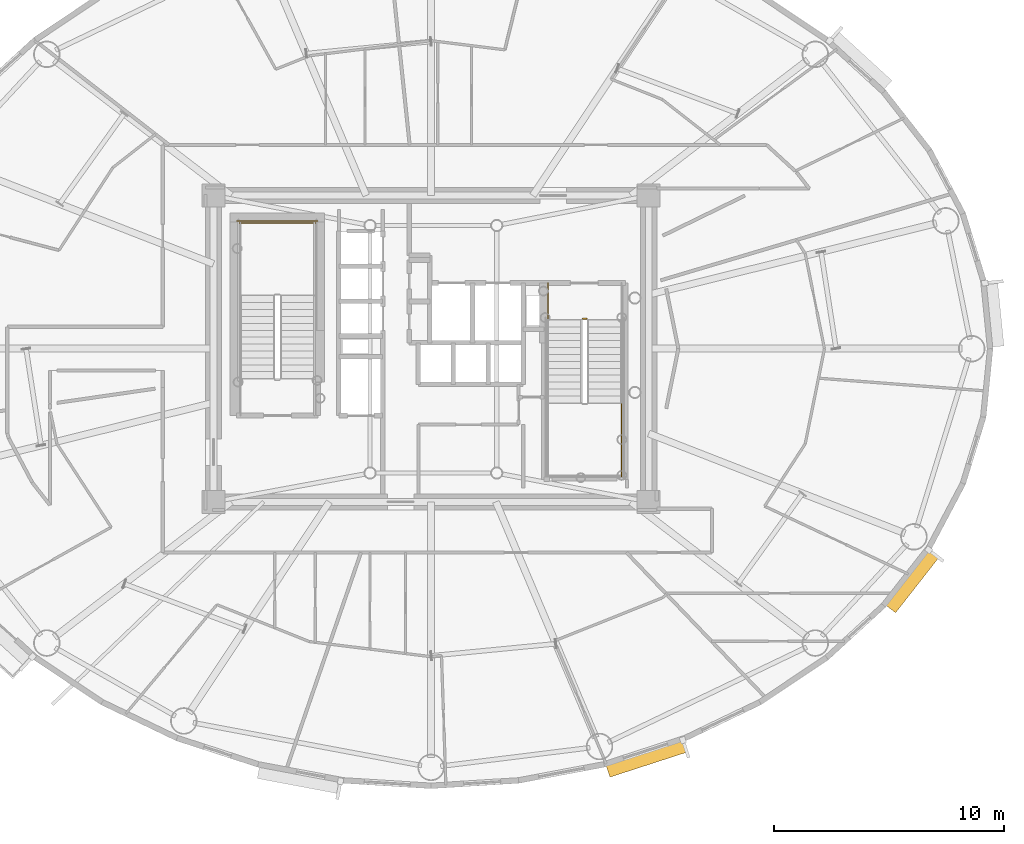
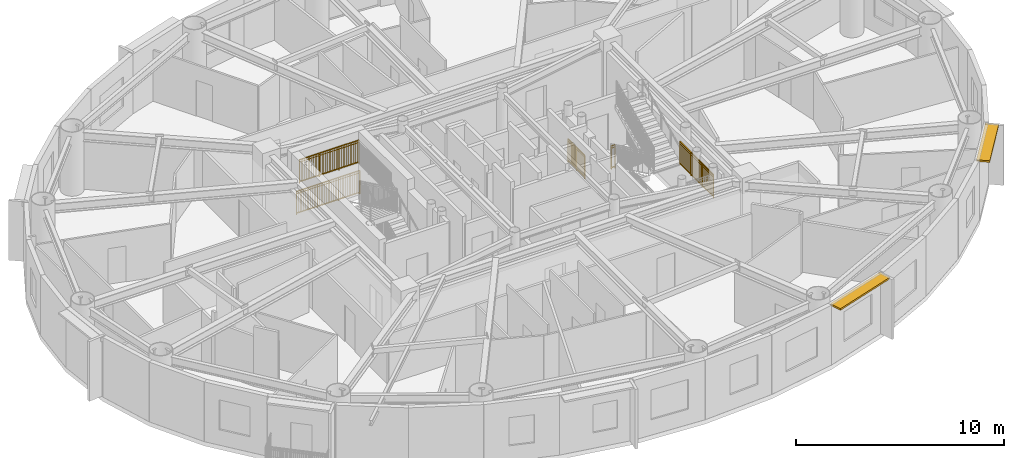
# One storey, part 18 of 20: 5 railings, 2 shading devices.
"""IFC4 building model written with IfcOpenShell, lengths in metres."""

from ifc_helpers import new_model, si_unit, direction, frame, origin, origin_2d, place, context, subcontext, project, spatial, rectangle, extrude, source, transform, mapped, material, layer, layer_set, type_object, element, save


model = new_model("IFC4")

# Units and contexts
model_context = context("Model", 3, precision=1e-05, world=origin(), true_north=direction((0.0, 1.0)))
body_context = subcontext(model_context, "Body", "Model", "MODEL_VIEW")
ifc_project = project(units=[si_unit("LENGTHUNIT", "METRE"), si_unit("AREAUNIT", "SQUARE_METRE"), si_unit("VOLUMEUNIT", "CUBIC_METRE"), si_unit("PLANEANGLEUNIT", "RADIAN"), si_unit("MASSUNIT", "GRAM", prefix="KILO")], contexts=[model_context])

# Site, building, storey
site_placement = place(None, origin())
site = spatial("IfcSite", under=ifc_project, at=site_placement, CompositionType="ELEMENT")
building_placement = place(site_placement, origin())
building = spatial("IfcBuilding", under=site, at=building_placement, Name="Linh Dai School and Residence Tower", CompositionType="ELEMENT")
storey_placement = place(building_placement, frame((0.0, 0.0, 232.800048828125)))
storey = spatial("IfcBuildingStorey", under=building, at=storey_placement, Name="L57", CompositionType="ELEMENT", Elevation=232.800048828125)

# Shading devices
ifc_material_1 = material(Name="Terracotta Ceramic Sunshade", Category="masonry")
ifc_layer = layer(ifc_material_1, 0.10009765625)
ifc_layer_set = layer_set([ifc_layer], Name="Terracotta Ceramic Sunshade")
shading_device_type = type_object("IfcShadingDeviceType", Name="SHD-TC-650", PredefinedType="USERDEFINED", material=ifc_layer_set)
shared_shape_1 = source(origin(), body_context, "Body", "SweptSolid", [
    extrude(rectangle(XDim=3.554443359375, YDim=0.64990234375, at=origin_2d()), origin(), (0.0, 0.0, 1.0), 0.10009765625),
])
shading_device_1_placement = place(storey_placement, frame((45.358154296875, 9.251220703125, 3.3798828125), z_axis=(0.0, 0.0, 1.0), x_axis=(-0.951223997135, -0.308501065272, 0.0)))
element("IfcShadingDevice", 1, at=shading_device_1_placement, inside=storey, type_object=shading_device_type, Name="L57 Terracotta Horizontal Sunshade Band 33", ObjectType="SUNSHADE", PredefinedType="USERDEFINED", context=body_context, shape_type="MappedRepresentation", body=[
    mapped(shared_shape_1, transform((0.0, 0.0, 0.0), x_axis=(1.0, 0.0, 0.0), y_axis=(0.0, 1.0, 0.0), z_axis=(0.0, 0.0, 1.0), scale=1.0)),
])
shared_shape_2 = source(origin(), body_context, "Body", "SweptSolid", [
    extrude(rectangle(XDim=3.095703125, YDim=0.64990234375, at=origin_2d()), origin(), (0.0, 0.0, 1.0), 0.10009765625),
])
shading_device_2_placement = place(storey_placement, frame((56.866455078125, 16.949462890625, 3.3798828125), z_axis=(0.0, 0.0, 1.0), x_axis=(-0.616333598027, -0.787485171888, 0.0)))
element("IfcShadingDevice", 2, at=shading_device_2_placement, inside=storey, type_object=shading_device_type, Name="L57 Terracotta Horizontal Sunshade Band 37", ObjectType="SUNSHADE", PredefinedType="USERDEFINED", context=body_context, shape_type="MappedRepresentation", body=[
    mapped(shared_shape_2, transform((0.0, 0.0, 0.0), x_axis=(1.0, 0.0, 0.0), y_axis=(0.0, 1.0, 0.0), z_axis=(0.0, 0.0, 1.0), scale=1.0)),
])

# Railings
ifc_material_2 = material(Name="Structural Steel S355JR", Category="steel")
railing_type = type_object("IfcRailingType", Name="RL-ST-GUARD-1400", PredefinedType="GUARDRAIL", material=ifc_material_2)
shared_shape_3 = source(origin(), body_context, "Body", "SweptSolid", [
    extrude(rectangle(XDim=0.048095703125, YDim=0.048095703125, at=origin_2d()), frame((0.0, 0.0, 1.3759765625), z_axis=(-1.0, 0.0, 0.0), x_axis=(0.0, -1.0, 0.0)), (0.0, 0.0, 1.0), 3.300048828125),
    extrude(rectangle(XDim=0.048095703125, YDim=0.048095703125, at=origin_2d()), frame((0.0, 0.0, 0.10009765625), z_axis=(-1.0, 0.0, 0.0), x_axis=(0.0, -1.0, 0.0)), (0.0, 0.0, 1.0), 3.300048828125),
    extrude(rectangle(XDim=0.030029296875, YDim=0.030029296875, at=origin_2d()), frame((0.0, 0.0, 1.239990234375), z_axis=(-1.0, 0.0, 0.0), x_axis=(0.0, -1.0, 0.0)), (0.0, 0.0, 1.0), 3.300048828125),
    extrude(rectangle(XDim=0.02001953125, YDim=0.02001953125, at=origin_2d()), frame((-0.09716796875, 0.0, 0.10009765625)), (0.0, 0.0, 1.0), 1.251708984375),
    extrude(rectangle(XDim=0.02001953125, YDim=0.02001953125, at=origin_2d()), frame((-0.194091796875, 0.0, 0.10009765625)), (0.0, 0.0, 1.0), 1.251708984375),
    extrude(rectangle(XDim=0.02001953125, YDim=0.02001953125, at=origin_2d()), frame((-0.291259765625, 0.0, 0.10009765625)), (0.0, 0.0, 1.0), 1.251708984375),
    extrude(rectangle(XDim=0.02001953125, YDim=0.02001953125, at=origin_2d()), frame((-0.38818359375, 0.0, 0.10009765625)), (0.0, 0.0, 1.0), 1.251708984375),
    extrude(rectangle(XDim=0.02001953125, YDim=0.02001953125, at=origin_2d()), frame((-0.4853515625, 0.0, 0.10009765625)), (0.0, 0.0, 1.0), 1.251708984375),
    extrude(rectangle(XDim=0.02001953125, YDim=0.02001953125, at=origin_2d()), frame((-0.582275390625, 0.0, 0.10009765625)), (0.0, 0.0, 1.0), 1.251708984375),
    extrude(rectangle(XDim=0.02001953125, YDim=0.02001953125, at=origin_2d()), frame((-0.679443359375, 0.0, 0.10009765625)), (0.0, 0.0, 1.0), 1.251708984375),
    extrude(rectangle(XDim=0.02001953125, YDim=0.02001953125, at=origin_2d()), frame((-0.7763671875, 0.0, 0.10009765625)), (0.0, 0.0, 1.0), 1.251708984375),
    extrude(rectangle(XDim=0.02001953125, YDim=0.02001953125, at=origin_2d()), frame((-0.87353515625, 0.0, 0.10009765625)), (0.0, 0.0, 1.0), 1.251708984375),
    extrude(rectangle(XDim=0.02001953125, YDim=0.02001953125, at=origin_2d()), frame((-0.970703125, 0.0, 0.10009765625)), (0.0, 0.0, 1.0), 1.251708984375),
    extrude(rectangle(XDim=0.02001953125, YDim=0.02001953125, at=origin_2d()), frame((-1.164794921875, 0.0, 0.10009765625)), (0.0, 0.0, 1.0), 1.251708984375),
    extrude(rectangle(XDim=0.02001953125, YDim=0.02001953125, at=origin_2d()), frame((-1.26171875, 0.0, 0.10009765625)), (0.0, 0.0, 1.0), 1.251708984375),
    extrude(rectangle(XDim=0.02001953125, YDim=0.02001953125, at=origin_2d()), frame((-1.35888671875, 0.0, 0.10009765625)), (0.0, 0.0, 1.0), 1.251708984375),
    extrude(rectangle(XDim=0.02001953125, YDim=0.02001953125, at=origin_2d()), frame((-1.455810546875, 0.0, 0.10009765625)), (0.0, 0.0, 1.0), 1.251708984375),
    extrude(rectangle(XDim=0.02001953125, YDim=0.02001953125, at=origin_2d()), frame((-1.552978515625, 0.0, 0.10009765625)), (0.0, 0.0, 1.0), 1.251708984375),
    extrude(rectangle(XDim=0.02001953125, YDim=0.02001953125, at=origin_2d()), frame((-1.64990234375, 0.0, 0.10009765625)), (0.0, 0.0, 1.0), 1.251708984375),
    extrude(rectangle(XDim=0.02001953125, YDim=0.02001953125, at=origin_2d()), frame((-1.7470703125, 0.0, 0.10009765625)), (0.0, 0.0, 1.0), 1.251708984375),
    extrude(rectangle(XDim=0.02001953125, YDim=0.02001953125, at=origin_2d()), frame((-1.84423828125, 0.0, 0.10009765625)), (0.0, 0.0, 1.0), 1.251708984375),
    extrude(rectangle(XDim=0.02001953125, YDim=0.02001953125, at=origin_2d()), frame((-1.941162109375, 0.0, 0.10009765625)), (0.0, 0.0, 1.0), 1.251708984375),
    extrude(rectangle(XDim=0.02001953125, YDim=0.02001953125, at=origin_2d()), frame((-2.038330078125, 0.0, 0.10009765625)), (0.0, 0.0, 1.0), 1.251708984375),
    extrude(rectangle(XDim=0.02001953125, YDim=0.02001953125, at=origin_2d()), frame((-2.13525390625, 0.0, 0.10009765625)), (0.0, 0.0, 1.0), 1.251708984375),
    extrude(rectangle(XDim=0.02001953125, YDim=0.02001953125, at=origin_2d()), frame((-2.329345703125, 0.0, 0.10009765625)), (0.0, 0.0, 1.0), 1.251708984375),
    extrude(rectangle(XDim=0.02001953125, YDim=0.02001953125, at=origin_2d()), frame((-2.426513671875, 0.0, 0.10009765625)), (0.0, 0.0, 1.0), 1.251708984375),
    extrude(rectangle(XDim=0.02001953125, YDim=0.02001953125, at=origin_2d()), frame((-2.523681640625, 0.0, 0.10009765625)), (0.0, 0.0, 1.0), 1.251708984375),
    extrude(rectangle(XDim=0.02001953125, YDim=0.02001953125, at=origin_2d()), frame((-2.62060546875, 0.0, 0.10009765625)), (0.0, 0.0, 1.0), 1.251708984375),
    extrude(rectangle(XDim=0.02001953125, YDim=0.02001953125, at=origin_2d()), frame((-2.7177734375, 0.0, 0.10009765625)), (0.0, 0.0, 1.0), 1.251708984375),
    extrude(rectangle(XDim=0.02001953125, YDim=0.02001953125, at=origin_2d()), frame((-2.814697265625, 0.0, 0.10009765625)), (0.0, 0.0, 1.0), 1.251708984375),
    extrude(rectangle(XDim=0.02001953125, YDim=0.02001953125, at=origin_2d()), frame((-2.911865234375, 0.0, 0.10009765625)), (0.0, 0.0, 1.0), 1.251708984375),
    extrude(rectangle(XDim=0.02001953125, YDim=0.02001953125, at=origin_2d()), frame((-3.0087890625, 0.0, 0.10009765625)), (0.0, 0.0, 1.0), 1.251708984375),
    extrude(rectangle(XDim=0.02001953125, YDim=0.02001953125, at=origin_2d()), frame((-3.10595703125, 0.0, 0.10009765625)), (0.0, 0.0, 1.0), 1.251708984375),
    extrude(rectangle(XDim=0.02001953125, YDim=0.02001953125, at=origin_2d()), frame((-3.202880859375, 0.0, 0.10009765625)), (0.0, 0.0, 1.0), 1.251708984375),
    extrude(rectangle(XDim=0.0419921875, YDim=0.0419921875, at=origin_2d()), origin(), (0.0, 0.0, 1.0), 1.3759765625),
    extrude(rectangle(XDim=0.0419921875, YDim=0.0419921875, at=origin_2d()), frame((-1.10009765625, 0.0, 0.0)), (0.0, 0.0, 1.0), 1.3759765625),
    extrude(rectangle(XDim=0.0419921875, YDim=0.0419921875, at=origin_2d()), frame((-2.199951171875, 0.0, 0.0)), (0.0, 0.0, 1.0), 1.3759765625),
    extrude(rectangle(XDim=0.0419921875, YDim=0.0419921875, at=origin_2d()), frame((-3.300048828125, 0.0, 0.0)), (0.0, 0.0, 1.0), 1.3759765625),
])
railing_1_placement = place(storey_placement, frame((30.97998046875, 32.449951171875, 1.875)))
element("IfcRailing", 3, at=railing_1_placement, inside=storey, type_object=railing_type, Name="L57 ST1 stair guard 5", PredefinedType="GUARDRAIL", context=body_context, shape_type="MappedRepresentation", body=[
    mapped(shared_shape_3, transform((0.0, 0.0, 0.0), x_axis=(1.0, 0.0, 0.0), y_axis=(0.0, 1.0, 0.0), z_axis=(0.0, 0.0, 1.0), scale=1.0)),
])
shared_shape_4 = source(origin(), body_context, "Body", "SweptSolid", [
    extrude(rectangle(XDim=0.048095703125, YDim=0.048095703125, at=origin_2d()), frame((0.0, 0.0, 1.3759765625), z_axis=(-1.0, 0.0, 0.0), x_axis=(0.0, -1.0, 0.0)), (0.0, 0.0, 1.0), 3.5),
    extrude(rectangle(XDim=0.048095703125, YDim=0.048095703125, at=origin_2d()), frame((0.0, 0.0, 0.10009765625), z_axis=(-1.0, 0.0, 0.0), x_axis=(0.0, -1.0, 0.0)), (0.0, 0.0, 1.0), 3.5),
    extrude(rectangle(XDim=0.030029296875, YDim=0.030029296875, at=origin_2d()), frame((0.0, 0.0, 1.239990234375), z_axis=(-1.0, 0.0, 0.0), x_axis=(0.0, -1.0, 0.0)), (0.0, 0.0, 1.0), 3.5),
    extrude(rectangle(XDim=0.02001953125, YDim=0.02001953125, at=origin_2d()), frame((-0.09716796875, 0.0, 0.10009765625)), (0.0, 0.0, 1.0), 1.251708984375),
    extrude(rectangle(XDim=0.02001953125, YDim=0.02001953125, at=origin_2d()), frame((-0.1943359375, 0.0, 0.10009765625)), (0.0, 0.0, 1.0), 1.251708984375),
    extrude(rectangle(XDim=0.02001953125, YDim=0.02001953125, at=origin_2d()), frame((-0.291748046875, 0.0, 0.10009765625)), (0.0, 0.0, 1.0), 1.251708984375),
    extrude(rectangle(XDim=0.02001953125, YDim=0.02001953125, at=origin_2d()), frame((-0.388916015625, 0.0, 0.10009765625)), (0.0, 0.0, 1.0), 1.251708984375),
    extrude(rectangle(XDim=0.02001953125, YDim=0.02001953125, at=origin_2d()), frame((-0.486083984375, 0.0, 0.10009765625)), (0.0, 0.0, 1.0), 1.251708984375),
    extrude(rectangle(XDim=0.02001953125, YDim=0.02001953125, at=origin_2d()), frame((-0.583251953125, 0.0, 0.10009765625)), (0.0, 0.0, 1.0), 1.251708984375),
    extrude(rectangle(XDim=0.02001953125, YDim=0.02001953125, at=origin_2d()), frame((-0.6806640625, 0.0, 0.10009765625)), (0.0, 0.0, 1.0), 1.251708984375),
    extrude(rectangle(XDim=0.02001953125, YDim=0.02001953125, at=origin_2d()), frame((-0.77783203125, 0.0, 0.10009765625)), (0.0, 0.0, 1.0), 1.251708984375),
    extrude(rectangle(XDim=0.02001953125, YDim=0.02001953125, at=origin_2d()), frame((-0.875, 0.0, 0.10009765625)), (0.0, 0.0, 1.0), 1.251708984375),
    extrude(rectangle(XDim=0.02001953125, YDim=0.02001953125, at=origin_2d()), frame((-0.97216796875, 0.0, 0.10009765625)), (0.0, 0.0, 1.0), 1.251708984375),
    extrude(rectangle(XDim=0.02001953125, YDim=0.02001953125, at=origin_2d()), frame((-1.0693359375, 0.0, 0.10009765625)), (0.0, 0.0, 1.0), 1.251708984375),
    extrude(rectangle(XDim=0.02001953125, YDim=0.02001953125, at=origin_2d()), frame((-1.263916015625, 0.0, 0.10009765625)), (0.0, 0.0, 1.0), 1.251708984375),
    extrude(rectangle(XDim=0.02001953125, YDim=0.02001953125, at=origin_2d()), frame((-1.361083984375, 0.0, 0.10009765625)), (0.0, 0.0, 1.0), 1.251708984375),
    extrude(rectangle(XDim=0.02001953125, YDim=0.02001953125, at=origin_2d()), frame((-1.458251953125, 0.0, 0.10009765625)), (0.0, 0.0, 1.0), 1.251708984375),
    extrude(rectangle(XDim=0.02001953125, YDim=0.02001953125, at=origin_2d()), frame((-1.5556640625, 0.0, 0.10009765625)), (0.0, 0.0, 1.0), 1.251708984375),
    extrude(rectangle(XDim=0.02001953125, YDim=0.02001953125, at=origin_2d()), frame((-1.65283203125, 0.0, 0.10009765625)), (0.0, 0.0, 1.0), 1.251708984375),
    extrude(rectangle(XDim=0.02001953125, YDim=0.02001953125, at=origin_2d()), frame((-1.75, 0.0, 0.10009765625)), (0.0, 0.0, 1.0), 1.251708984375),
    extrude(rectangle(XDim=0.02001953125, YDim=0.02001953125, at=origin_2d()), frame((-1.84716796875, 0.0, 0.10009765625)), (0.0, 0.0, 1.0), 1.251708984375),
    extrude(rectangle(XDim=0.02001953125, YDim=0.02001953125, at=origin_2d()), frame((-1.9443359375, 0.0, 0.10009765625)), (0.0, 0.0, 1.0), 1.251708984375),
    extrude(rectangle(XDim=0.02001953125, YDim=0.02001953125, at=origin_2d()), frame((-2.041748046875, 0.0, 0.10009765625)), (0.0, 0.0, 1.0), 1.251708984375),
    extrude(rectangle(XDim=0.02001953125, YDim=0.02001953125, at=origin_2d()), frame((-2.138916015625, 0.0, 0.10009765625)), (0.0, 0.0, 1.0), 1.251708984375),
    extrude(rectangle(XDim=0.02001953125, YDim=0.02001953125, at=origin_2d()), frame((-2.236083984375, 0.0, 0.10009765625)), (0.0, 0.0, 1.0), 1.251708984375),
    extrude(rectangle(XDim=0.02001953125, YDim=0.02001953125, at=origin_2d()), frame((-2.4306640625, 0.0, 0.10009765625)), (0.0, 0.0, 1.0), 1.251708984375),
    extrude(rectangle(XDim=0.02001953125, YDim=0.02001953125, at=origin_2d()), frame((-2.52783203125, 0.0, 0.10009765625)), (0.0, 0.0, 1.0), 1.251708984375),
    extrude(rectangle(XDim=0.02001953125, YDim=0.02001953125, at=origin_2d()), frame((-2.625, 0.0, 0.10009765625)), (0.0, 0.0, 1.0), 1.251708984375),
    extrude(rectangle(XDim=0.02001953125, YDim=0.02001953125, at=origin_2d()), frame((-2.72216796875, 0.0, 0.10009765625)), (0.0, 0.0, 1.0), 1.251708984375),
    extrude(rectangle(XDim=0.02001953125, YDim=0.02001953125, at=origin_2d()), frame((-2.8193359375, 0.0, 0.10009765625)), (0.0, 0.0, 1.0), 1.251708984375),
    extrude(rectangle(XDim=0.02001953125, YDim=0.02001953125, at=origin_2d()), frame((-2.916748046875, 0.0, 0.10009765625)), (0.0, 0.0, 1.0), 1.251708984375),
    extrude(rectangle(XDim=0.02001953125, YDim=0.02001953125, at=origin_2d()), frame((-3.013916015625, 0.0, 0.10009765625)), (0.0, 0.0, 1.0), 1.251708984375),
    extrude(rectangle(XDim=0.02001953125, YDim=0.02001953125, at=origin_2d()), frame((-3.111083984375, 0.0, 0.10009765625)), (0.0, 0.0, 1.0), 1.251708984375),
    extrude(rectangle(XDim=0.02001953125, YDim=0.02001953125, at=origin_2d()), frame((-3.208251953125, 0.0, 0.10009765625)), (0.0, 0.0, 1.0), 1.251708984375),
    extrude(rectangle(XDim=0.02001953125, YDim=0.02001953125, at=origin_2d()), frame((-3.3056640625, 0.0, 0.10009765625)), (0.0, 0.0, 1.0), 1.251708984375),
    extrude(rectangle(XDim=0.02001953125, YDim=0.02001953125, at=origin_2d()), frame((-3.40283203125, 0.0, 0.10009765625)), (0.0, 0.0, 1.0), 1.251708984375),
    extrude(rectangle(XDim=0.0419921875, YDim=0.0419921875, at=origin_2d()), origin(), (0.0, 0.0, 1.0), 1.3759765625),
    extrude(rectangle(XDim=0.0419921875, YDim=0.0419921875, at=origin_2d()), frame((-1.166748046875, 0.0, 0.0)), (0.0, 0.0, 1.0), 1.3759765625),
    extrude(rectangle(XDim=0.0419921875, YDim=0.0419921875, at=origin_2d()), frame((-2.333251953125, 0.0, 0.0)), (0.0, 0.0, 1.0), 1.3759765625),
    extrude(rectangle(XDim=0.0419921875, YDim=0.0419921875, at=origin_2d()), frame((-3.5, 0.0, 0.0)), (0.0, 0.0, 1.0), 1.3759765625),
])
railing_2_placement = place(storey_placement, frame((31.080078125, 32.550048828125, 0.0)))
element("IfcRailing", 4, at=railing_2_placement, inside=storey, type_object=railing_type, Name="L57 ST1 stair guard 12", PredefinedType="GUARDRAIL", context=body_context, shape_type="MappedRepresentation", body=[
    mapped(shared_shape_4, transform((0.0, 0.0, 0.0), x_axis=(1.0, 0.0, 0.0), y_axis=(0.0, 1.0, 0.0), z_axis=(0.0, 0.0, 1.0), scale=1.0)),
])
shared_shape_5 = source(origin(), body_context, "Body", "SweptSolid", [
    extrude(rectangle(XDim=0.048095703125, YDim=0.048095703125, at=origin_2d()), frame((0.0, 0.0, 1.3759765625), z_axis=(1.0, 0.0, 0.0), x_axis=(0.0, 1.0, 0.0)), (0.0, 0.0, 1.0), 0.199951171875),
    extrude(rectangle(XDim=0.048095703125, YDim=0.048095703125, at=origin_2d()), frame((0.0, 0.0, 0.10009765625), z_axis=(1.0, 0.0, 0.0), x_axis=(0.0, 1.0, 0.0)), (0.0, 0.0, 1.0), 0.199951171875),
    extrude(rectangle(XDim=0.030029296875, YDim=0.030029296875, at=origin_2d()), frame((0.0, 0.0, 1.239990234375), z_axis=(1.0, 0.0, 0.0), x_axis=(0.0, 1.0, 0.0)), (0.0, 0.0, 1.0), 0.199951171875),
    extrude(rectangle(XDim=0.0419921875, YDim=0.0419921875, at=origin_2d()), origin(), (0.0, 0.0, 1.0), 1.3759765625),
    extrude(rectangle(XDim=0.0419921875, YDim=0.0419921875, at=origin_2d()), frame((0.199951171875, 0.0, 0.0)), (0.0, 0.0, 1.0), 1.3759765625),
])
railing_3_placement = place(storey_placement, frame((42.570068359375, 28.300048828125, 0.0)))
element("IfcRailing", 5, at=railing_3_placement, inside=storey, type_object=railing_type, Name="L57 ST2 stair guard 7", PredefinedType="GUARDRAIL", context=body_context, shape_type="MappedRepresentation", body=[
    mapped(shared_shape_5, transform((0.0, 0.0, 0.0), x_axis=(1.0, 0.0, 0.0), y_axis=(0.0, 1.0, 0.0), z_axis=(0.0, 0.0, 1.0), scale=1.0)),
])
shared_shape_6 = source(origin(), body_context, "Body", "SweptSolid", [
    extrude(rectangle(XDim=0.048095703125, YDim=0.048095703125, at=origin_2d()), frame((0.0, 0.0, 1.3759765625), z_axis=(0.0, -1.0, 0.0), x_axis=(1.0, 0.0, 0.0)), (0.0, 0.0, 1.0), 1.60009765625),
    extrude(rectangle(XDim=0.048095703125, YDim=0.048095703125, at=origin_2d()), frame((0.0, 0.0, 0.10009765625), z_axis=(0.0, -1.0, 0.0), x_axis=(1.0, 0.0, 0.0)), (0.0, 0.0, 1.0), 1.60009765625),
    extrude(rectangle(XDim=0.030029296875, YDim=0.030029296875, at=origin_2d()), frame((0.0, 0.0, 1.239990234375), z_axis=(0.0, -1.0, 0.0), x_axis=(1.0, 0.0, 0.0)), (0.0, 0.0, 1.0), 1.60009765625),
    extrude(rectangle(XDim=0.02001953125, YDim=0.02001953125, at=origin_2d()), frame((0.0, -0.09423828125, 0.10009765625)), (0.0, 0.0, 1.0), 1.251708984375),
    extrude(rectangle(XDim=0.02001953125, YDim=0.02001953125, at=origin_2d()), frame((0.0, -0.188232421875, 0.10009765625)), (0.0, 0.0, 1.0), 1.251708984375),
    extrude(rectangle(XDim=0.02001953125, YDim=0.02001953125, at=origin_2d()), frame((0.0, -0.282470703125, 0.10009765625)), (0.0, 0.0, 1.0), 1.251708984375),
    extrude(rectangle(XDim=0.02001953125, YDim=0.02001953125, at=origin_2d()), frame((0.0, -0.37646484375, 0.10009765625)), (0.0, 0.0, 1.0), 1.251708984375),
    extrude(rectangle(XDim=0.02001953125, YDim=0.02001953125, at=origin_2d()), frame((0.0, -0.470703125, 0.10009765625)), (0.0, 0.0, 1.0), 1.251708984375),
    extrude(rectangle(XDim=0.02001953125, YDim=0.02001953125, at=origin_2d()), frame((0.0, -0.564697265625, 0.10009765625)), (0.0, 0.0, 1.0), 1.251708984375),
    extrude(rectangle(XDim=0.02001953125, YDim=0.02001953125, at=origin_2d()), frame((0.0, -0.658935546875, 0.10009765625)), (0.0, 0.0, 1.0), 1.251708984375),
    extrude(rectangle(XDim=0.02001953125, YDim=0.02001953125, at=origin_2d()), frame((0.0, -0.7529296875, 0.10009765625)), (0.0, 0.0, 1.0), 1.251708984375),
    extrude(rectangle(XDim=0.02001953125, YDim=0.02001953125, at=origin_2d()), frame((0.0, -0.84716796875, 0.10009765625)), (0.0, 0.0, 1.0), 1.251708984375),
    extrude(rectangle(XDim=0.02001953125, YDim=0.02001953125, at=origin_2d()), frame((0.0, -0.941162109375, 0.10009765625)), (0.0, 0.0, 1.0), 1.251708984375),
    extrude(rectangle(XDim=0.02001953125, YDim=0.02001953125, at=origin_2d()), frame((0.0, -1.035400390625, 0.10009765625)), (0.0, 0.0, 1.0), 1.251708984375),
    extrude(rectangle(XDim=0.02001953125, YDim=0.02001953125, at=origin_2d()), frame((0.0, -1.12939453125, 0.10009765625)), (0.0, 0.0, 1.0), 1.251708984375),
    extrude(rectangle(XDim=0.02001953125, YDim=0.02001953125, at=origin_2d()), frame((0.0, -1.2236328125, 0.10009765625)), (0.0, 0.0, 1.0), 1.251708984375),
    extrude(rectangle(XDim=0.02001953125, YDim=0.02001953125, at=origin_2d()), frame((0.0, -1.317626953125, 0.10009765625)), (0.0, 0.0, 1.0), 1.251708984375),
    extrude(rectangle(XDim=0.02001953125, YDim=0.02001953125, at=origin_2d()), frame((0.0, -1.411865234375, 0.10009765625)), (0.0, 0.0, 1.0), 1.251708984375),
    extrude(rectangle(XDim=0.02001953125, YDim=0.02001953125, at=origin_2d()), frame((0.0, -1.505859375, 0.10009765625)), (0.0, 0.0, 1.0), 1.251708984375),
    extrude(rectangle(XDim=0.0419921875, YDim=0.0419921875, at=origin_2d()), origin(), (0.0, 0.0, 1.0), 1.3759765625),
    extrude(rectangle(XDim=0.0419921875, YDim=0.0419921875, at=origin_2d()), frame((0.0, -0.800048828125, 0.0)), (0.0, 0.0, 1.0), 1.3759765625),
    extrude(rectangle(XDim=0.0419921875, YDim=0.0419921875, at=origin_2d()), frame((0.0, -1.60009765625, 0.0)), (0.0, 0.0, 1.0), 1.3759765625),
])
railing_4_placement = place(storey_placement, frame((41.070068359375, 29.85009765625, 0.0)))
element("IfcRailing", 6, at=railing_4_placement, inside=storey, type_object=railing_type, Name="L57 ST2 stair guard 8", PredefinedType="GUARDRAIL", context=body_context, shape_type="MappedRepresentation", body=[
    mapped(shared_shape_6, transform((0.0, 0.0, 0.0), x_axis=(1.0, 0.0, 0.0), y_axis=(0.0, 1.0, 0.0), z_axis=(0.0, 0.0, 1.0), scale=1.0)),
])
shared_shape_7 = source(origin(), body_context, "Body", "SweptSolid", [
    extrude(rectangle(XDim=0.048095703125, YDim=0.048095703125, at=origin_2d()), frame((0.0, 0.0, 1.3759765625), z_axis=(0.0, -1.0, 0.0), x_axis=(1.0, 0.0, 0.0)), (0.0, 0.0, 1.0), 3.199951171875),
    extrude(rectangle(XDim=0.048095703125, YDim=0.048095703125, at=origin_2d()), frame((0.0, 0.0, 0.10009765625), z_axis=(0.0, -1.0, 0.0), x_axis=(1.0, 0.0, 0.0)), (0.0, 0.0, 1.0), 3.199951171875),
    extrude(rectangle(XDim=0.030029296875, YDim=0.030029296875, at=origin_2d()), frame((0.0, 0.0, 1.239990234375), z_axis=(0.0, -1.0, 0.0), x_axis=(1.0, 0.0, 0.0)), (0.0, 0.0, 1.0), 3.199951171875),
    extrude(rectangle(XDim=0.02001953125, YDim=0.02001953125, at=origin_2d()), frame((0.0, -0.096923828125, 0.10009765625)), (0.0, 0.0, 1.0), 1.251708984375),
    extrude(rectangle(XDim=0.02001953125, YDim=0.02001953125, at=origin_2d()), frame((0.0, -0.19384765625, 0.10009765625)), (0.0, 0.0, 1.0), 1.251708984375),
    extrude(rectangle(XDim=0.02001953125, YDim=0.02001953125, at=origin_2d()), frame((0.0, -0.291015625, 0.10009765625)), (0.0, 0.0, 1.0), 1.251708984375),
    extrude(rectangle(XDim=0.02001953125, YDim=0.02001953125, at=origin_2d()), frame((0.0, -0.387939453125, 0.10009765625)), (0.0, 0.0, 1.0), 1.251708984375),
    extrude(rectangle(XDim=0.02001953125, YDim=0.02001953125, at=origin_2d()), frame((0.0, -0.48486328125, 0.10009765625)), (0.0, 0.0, 1.0), 1.251708984375),
    extrude(rectangle(XDim=0.02001953125, YDim=0.02001953125, at=origin_2d()), frame((0.0, -0.581787109375, 0.10009765625)), (0.0, 0.0, 1.0), 1.251708984375),
    extrude(rectangle(XDim=0.02001953125, YDim=0.02001953125, at=origin_2d()), frame((0.0, -0.6787109375, 0.10009765625)), (0.0, 0.0, 1.0), 1.251708984375),
    extrude(rectangle(XDim=0.02001953125, YDim=0.02001953125, at=origin_2d()), frame((0.0, -0.775634765625, 0.10009765625)), (0.0, 0.0, 1.0), 1.251708984375),
    extrude(rectangle(XDim=0.02001953125, YDim=0.02001953125, at=origin_2d()), frame((0.0, -0.872802734375, 0.10009765625)), (0.0, 0.0, 1.0), 1.251708984375),
    extrude(rectangle(XDim=0.02001953125, YDim=0.02001953125, at=origin_2d()), frame((0.0, -0.9697265625, 0.10009765625)), (0.0, 0.0, 1.0), 1.251708984375),
    extrude(rectangle(XDim=0.02001953125, YDim=0.02001953125, at=origin_2d()), frame((0.0, -1.16357421875, 0.10009765625)), (0.0, 0.0, 1.0), 1.251708984375),
    extrude(rectangle(XDim=0.02001953125, YDim=0.02001953125, at=origin_2d()), frame((0.0, -1.260498046875, 0.10009765625)), (0.0, 0.0, 1.0), 1.251708984375),
    extrude(rectangle(XDim=0.02001953125, YDim=0.02001953125, at=origin_2d()), frame((0.0, -1.357666015625, 0.10009765625)), (0.0, 0.0, 1.0), 1.251708984375),
    extrude(rectangle(XDim=0.02001953125, YDim=0.02001953125, at=origin_2d()), frame((0.0, -1.45458984375, 0.10009765625)), (0.0, 0.0, 1.0), 1.251708984375),
    extrude(rectangle(XDim=0.02001953125, YDim=0.02001953125, at=origin_2d()), frame((0.0, -1.551513671875, 0.10009765625)), (0.0, 0.0, 1.0), 1.251708984375),
    extrude(rectangle(XDim=0.02001953125, YDim=0.02001953125, at=origin_2d()), frame((0.0, -1.6484375, 0.10009765625)), (0.0, 0.0, 1.0), 1.251708984375),
    extrude(rectangle(XDim=0.02001953125, YDim=0.02001953125, at=origin_2d()), frame((0.0, -1.745361328125, 0.10009765625)), (0.0, 0.0, 1.0), 1.251708984375),
    extrude(rectangle(XDim=0.02001953125, YDim=0.02001953125, at=origin_2d()), frame((0.0, -1.84228515625, 0.10009765625)), (0.0, 0.0, 1.0), 1.251708984375),
    extrude(rectangle(XDim=0.02001953125, YDim=0.02001953125, at=origin_2d()), frame((0.0, -1.939453125, 0.10009765625)), (0.0, 0.0, 1.0), 1.251708984375),
    extrude(rectangle(XDim=0.02001953125, YDim=0.02001953125, at=origin_2d()), frame((0.0, -2.036376953125, 0.10009765625)), (0.0, 0.0, 1.0), 1.251708984375),
    extrude(rectangle(XDim=0.02001953125, YDim=0.02001953125, at=origin_2d()), frame((0.0, -2.230224609375, 0.10009765625)), (0.0, 0.0, 1.0), 1.251708984375),
    extrude(rectangle(XDim=0.02001953125, YDim=0.02001953125, at=origin_2d()), frame((0.0, -2.3271484375, 0.10009765625)), (0.0, 0.0, 1.0), 1.251708984375),
    extrude(rectangle(XDim=0.02001953125, YDim=0.02001953125, at=origin_2d()), frame((0.0, -2.42431640625, 0.10009765625)), (0.0, 0.0, 1.0), 1.251708984375),
    extrude(rectangle(XDim=0.02001953125, YDim=0.02001953125, at=origin_2d()), frame((0.0, -2.521240234375, 0.10009765625)), (0.0, 0.0, 1.0), 1.251708984375),
    extrude(rectangle(XDim=0.02001953125, YDim=0.02001953125, at=origin_2d()), frame((0.0, -2.6181640625, 0.10009765625)), (0.0, 0.0, 1.0), 1.251708984375),
    extrude(rectangle(XDim=0.02001953125, YDim=0.02001953125, at=origin_2d()), frame((0.0, -2.715087890625, 0.10009765625)), (0.0, 0.0, 1.0), 1.251708984375),
    extrude(rectangle(XDim=0.02001953125, YDim=0.02001953125, at=origin_2d()), frame((0.0, -2.81201171875, 0.10009765625)), (0.0, 0.0, 1.0), 1.251708984375),
    extrude(rectangle(XDim=0.02001953125, YDim=0.02001953125, at=origin_2d()), frame((0.0, -2.908935546875, 0.10009765625)), (0.0, 0.0, 1.0), 1.251708984375),
    extrude(rectangle(XDim=0.02001953125, YDim=0.02001953125, at=origin_2d()), frame((0.0, -3.006103515625, 0.10009765625)), (0.0, 0.0, 1.0), 1.251708984375),
    extrude(rectangle(XDim=0.02001953125, YDim=0.02001953125, at=origin_2d()), frame((0.0, -3.10302734375, 0.10009765625)), (0.0, 0.0, 1.0), 1.251708984375),
    extrude(rectangle(XDim=0.0419921875, YDim=0.0419921875, at=origin_2d()), origin(), (0.0, 0.0, 1.0), 1.3759765625),
    extrude(rectangle(XDim=0.0419921875, YDim=0.0419921875, at=origin_2d()), frame((0.0, -1.066650390625, 0.0)), (0.0, 0.0, 1.0), 1.3759765625),
    extrude(rectangle(XDim=0.0419921875, YDim=0.0419921875, at=origin_2d()), frame((0.0, -2.13330078125, 0.0)), (0.0, 0.0, 1.0), 1.3759765625),
    extrude(rectangle(XDim=0.0419921875, YDim=0.0419921875, at=origin_2d()), frame((0.0, -3.199951171875, 0.0)), (0.0, 0.0, 1.0), 1.3759765625),
])
railing_5_placement = place(storey_placement, frame((44.27001953125, 24.64990234375, 1.875)))
element("IfcRailing", 7, at=railing_5_placement, inside=storey, type_object=railing_type, Name="L57 ST2 stair guard 4", PredefinedType="GUARDRAIL", context=body_context, shape_type="MappedRepresentation", body=[
    mapped(shared_shape_7, transform((0.0, 0.0, 0.0), x_axis=(1.0, 0.0, 0.0), y_axis=(0.0, 1.0, 0.0), z_axis=(0.0, 0.0, 1.0), scale=1.0)),
])

save(model, "model.ifc")
